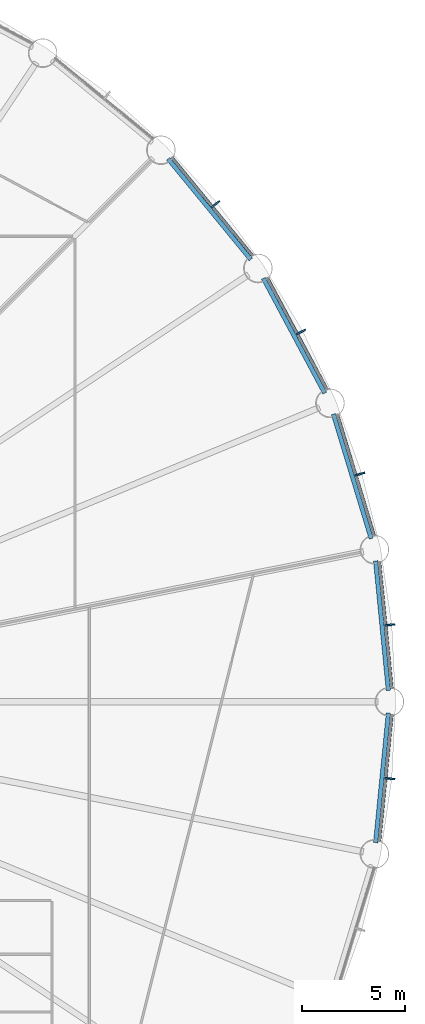
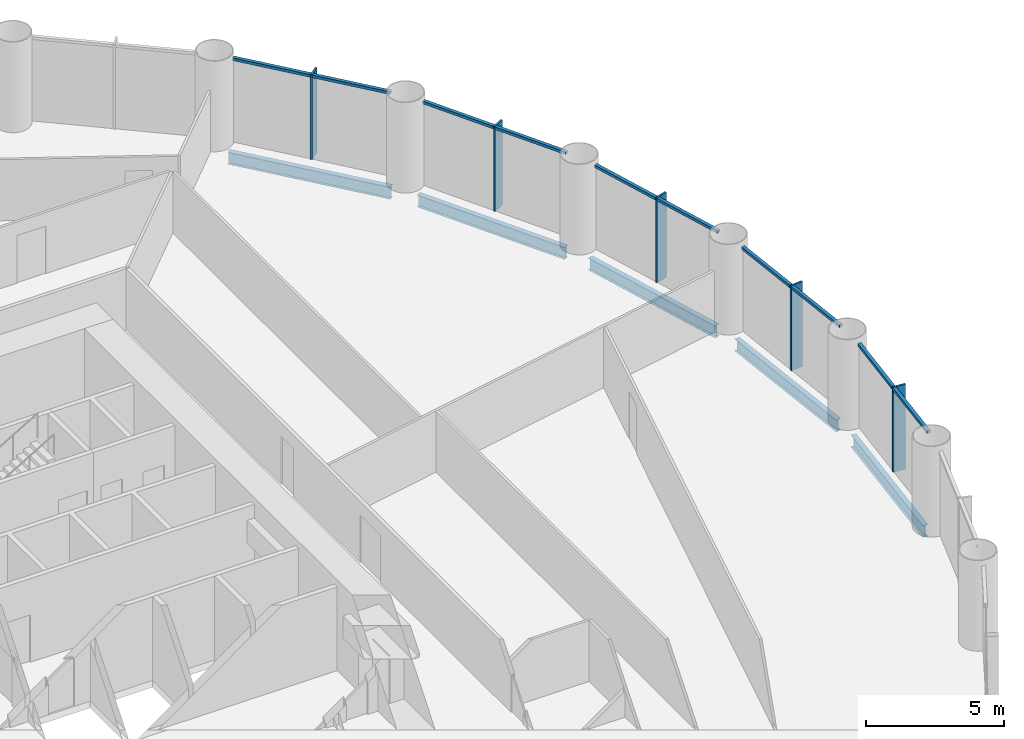
# One storey, part 6 of 15: 15 members, 5 beams, 5 elements without a shape of their own.
"""IFC4 building model written with IfcOpenShell, lengths in metres."""

from ifc_helpers import new_model, si_unit, direction, frame, origin, origin_2d, place, context, subcontext, project, spatial, rectangle, i_section, extrude, material, material_profile, profile_set, type_object, element, aggregate, save


model = new_model("IFC4")

# Units and contexts
model_context = context("Model", 3, precision=1e-05, world=origin(), true_north=direction((0.0, 1.0)))
body_context = subcontext(model_context, "Body", "Model", "MODEL_VIEW")
ifc_project = project(units=[si_unit("LENGTHUNIT", "METRE"), si_unit("AREAUNIT", "SQUARE_METRE"), si_unit("VOLUMEUNIT", "CUBIC_METRE"), si_unit("PLANEANGLEUNIT", "RADIAN"), si_unit("MASSUNIT", "GRAM", prefix="KILO")], contexts=[model_context])

# Site, building, storey
site_placement = place(None, origin())
site = spatial("IfcSite", under=ifc_project, at=site_placement, CompositionType="ELEMENT")
building_placement = place(site_placement, origin())
building = spatial("IfcBuilding", under=site, at=building_placement, Name="Corvane Civic Tower", CompositionType="ELEMENT")
storey_placement = place(building_placement, frame((0.0, 0.0, 69.0)))
storey = spatial("IfcBuildingStorey", under=building, at=storey_placement, Name="L15", CompositionType="ELEMENT", Elevation=69.0)

# Beams
ifc_material_1 = material(Name="Steel ASTM A992 Gr 50", Category="steel")
ifc_material_profile_1 = material_profile(ifc_material_1, i_section(OverallWidth=0.209228515625, OverallDepth=0.533447265625, WebThickness=0.01025390625, FlangeThickness=0.015625, at=origin_2d()), Name="W21X62")
ifc_profile_set_1 = profile_set([ifc_material_profile_1], Name="Steel ASTM A992 Gr 50")
beam_type = type_object("IfcBeamType", Name="EDGE BEAM W21X62", PredefinedType="BEAM", material=ifc_profile_set_1)
beam_placement = place(storey_placement, frame((27.0068359375, 26.23291015625, -0.566650390625), z_axis=(0.634386787141, -0.773015785286, 0.0), x_axis=(0.773015785286, 0.634386787141, 0.0)))
element("IfcBeam", 1, at=beam_placement, inside=storey, type_object=beam_type, Name="BM-L15-E05", PredefinedType="BEAM", context=body_context, shape_type="SweptSolid", body=[
    extrude(i_section(OverallWidth=0.209228515625, OverallDepth=0.533447265625, WebThickness=0.01025390625, FlangeThickness=0.015625, at=origin_2d()), origin(), (0.0, 0.0, 1.0), 6.290771484375),
])
for number, where, z_axis, x_axis, name in (
    (2, (31.605712890625, 20.4599609375, -0.566650390625), (0.471405897311, -0.881916367906, 0.0), (0.881916367906, 0.471405897311, 0.0), "BM-L15-E06"),
    (3, (34.989990234375, 13.90087890625, -0.566650390625), (0.290273452184, -0.956943740748, 0.0), (0.956943740748, 0.290273452184, 0.0), "BM-L15-E07"),
):
    element("IfcBeam", number, at=place(storey_placement, frame(where, z_axis=z_axis, x_axis=x_axis)), inside=storey, type_object=beam_type, Name=name, PredefinedType="BEAM", context=body_context, shape_type="SweptSolid", body=[
        extrude(i_section(OverallWidth=0.209228515625, OverallDepth=0.533447265625, WebThickness=0.01025390625, FlangeThickness=0.015625, at=origin_2d()), origin(), (0.0, 0.0, 1.0), 6.290283203125),
    ])
for number, where, z_axis, x_axis, name in (
    (4, (37.029541015625, 6.8076171875, -0.566650390625), (0.097997284622, -0.995186682089, 0.0), (0.995186682089, 0.097997284622, 0.0), "BM-L15-E08"),
    (5, (37.64599609375, -0.54736328125, -0.566650390625), (-0.097997284622, -0.995186682089, 0.0), (0.995186682089, -0.097997284622, 0.0), "BM-L15-E09"),
):
    element("IfcBeam", number, at=place(storey_placement, frame(where, z_axis=z_axis, x_axis=x_axis)), inside=storey, type_object=beam_type, Name=name, PredefinedType="BEAM", context=body_context, shape_type="SweptSolid", body=[
        extrude(i_section(OverallWidth=0.209228515625, OverallDepth=0.533447265625, WebThickness=0.01025390625, FlangeThickness=0.015625, at=origin_2d()), origin(), (0.0, 0.0, 1.0), 6.29052734375),
    ])

# Curtain wall, members
ifc_material_2 = material(Name="Anodised aluminium bronze", Category="aluminium")
curtain_wall_type = type_object("IfcCurtainWallType", Name="TOWER CW-T1 STICK CURTAIN WALL", PredefinedType="NOTDEFINED", material=ifc_material_2)
curtain_wall_1_placement = place(storey_placement, origin())
curtain_wall_1 = element("IfcCurtainWall", 6, at=curtain_wall_1_placement, inside=storey, type_object=curtain_wall_type, Name="Curtain wall CW-T1 L15 bay 05", PredefinedType="NOTDEFINED")
ifc_material_3 = material(Name="Anodised aluminium bronze", Category="aluminium")
ifc_material_profile_2 = material_profile(ifc_material_3, rectangle(XDim=0.139892578125, YDim=0.1201171875, at=origin_2d()), Name="TOWER CW-T1 TRANSOM 140x120")
ifc_profile_set_2 = profile_set([ifc_material_profile_2], Name="Anodised aluminium bronze")
member_type_1 = type_object("IfcMemberType", Name="TOWER CW-T1 TRANSOM 140x120", PredefinedType="USERDEFINED", material=ifc_profile_set_2)
member_1_placement = place(storey_placement, frame((27.20654296875, 26.271728515625, 3.68994140625), z_axis=(0.634403652865, -0.773001943873, 0.0), x_axis=(0.773001943873, 0.634403652865, 0.0)))
member_1 = element("IfcMember", 7, at=member_1_placement, type_object=member_type_1, Name="Transom CW-T1 L15 05.1", ObjectType="TRANSOM", PredefinedType="USERDEFINED", context=body_context, shape_type="SweptSolid", body=[
    extrude(rectangle(XDim=0.139892578125, YDim=0.1201171875, at=origin_2d()), origin(), (0.0, 0.0, 1.0), 3.008544921875),
])
member_2_placement = place(storey_placement, frame((29.166015625, 23.88427734375, 3.68994140625), z_axis=(0.634355161466, -0.773041738279, 0.0), x_axis=(0.773041738279, 0.634355161466, 0.0)))
member_2 = element("IfcMember", 8, at=member_2_placement, type_object=member_type_1, Name="Transom CW-T1 L15 05.2", ObjectType="TRANSOM", PredefinedType="USERDEFINED", context=body_context, shape_type="SweptSolid", body=[
    extrude(rectangle(XDim=0.139892578125, YDim=0.1201171875, at=origin_2d()), origin(), (0.0, 0.0, 1.0), 3.008544921875),
])

curtain_wall_2_placement = place(storey_placement, origin())
curtain_wall_2 = element("IfcCurtainWall", 9, at=curtain_wall_2_placement, inside=storey, type_object=curtain_wall_type, Name="Curtain wall CW-T1 L15 bay 06", PredefinedType="NOTDEFINED")
member_3_placement = place(storey_placement, frame((31.809326171875, 20.459228515625, 3.68994140625), z_axis=(0.471392506424, -0.881923525532, 0.0), x_axis=(0.881923525532, 0.471392506424, 0.0)))
member_3 = element("IfcMember", 10, at=member_3_placement, type_object=member_type_1, Name="Transom CW-T1 L15 06.1", ObjectType="TRANSOM", PredefinedType="USERDEFINED", context=body_context, shape_type="SweptSolid", body=[
    extrude(rectangle(XDim=0.139892578125, YDim=0.1201171875, at=origin_2d()), origin(), (0.0, 0.0, 1.0), 3.008544921875),
])
member_4_placement = place(storey_placement, frame((33.26513671875, 17.7353515625, 3.68994140625), z_axis=(0.471392506424, -0.881923525532, 0.0), x_axis=(0.881923525532, 0.471392506424, 0.0)))
member_4 = element("IfcMember", 11, at=member_4_placement, type_object=member_type_1, Name="Transom CW-T1 L15 06.2", ObjectType="TRANSOM", PredefinedType="USERDEFINED", context=body_context, shape_type="SweptSolid", body=[
    extrude(rectangle(XDim=0.139892578125, YDim=0.1201171875, at=origin_2d()), origin(), (0.0, 0.0, 1.0), 3.008544921875),
])

curtain_wall_3_placement = place(storey_placement, origin())
curtain_wall_3 = element("IfcCurtainWall", 12, at=curtain_wall_3_placement, inside=storey, type_object=curtain_wall_type, Name="Curtain wall CW-T1 L15 bay 07", PredefinedType="NOTDEFINED")
member_5_placement = place(storey_placement, frame((35.189453125, 13.8603515625, 3.68994140625), z_axis=(0.290279914268, -0.956941780555, 0.0), x_axis=(0.956941780555, 0.290279914268, 0.0)))
member_5 = element("IfcMember", 13, at=member_5_placement, type_object=member_type_1, Name="Transom CW-T1 L15 07.1", ObjectType="TRANSOM", PredefinedType="USERDEFINED", context=body_context, shape_type="SweptSolid", body=[
    extrude(rectangle(XDim=0.139892578125, YDim=0.1201171875, at=origin_2d()), origin(), (0.0, 0.0, 1.0), 3.008544921875),
])
member_6_placement = place(storey_placement, frame((36.0859375, 10.90478515625, 3.68994140625), z_axis=(0.290279914268, -0.956941780555, 0.0), x_axis=(0.956941780555, 0.290279914268, 0.0)))
member_6 = element("IfcMember", 14, at=member_6_placement, type_object=member_type_1, Name="Transom CW-T1 L15 07.2", ObjectType="TRANSOM", PredefinedType="USERDEFINED", context=body_context, shape_type="SweptSolid", body=[
    extrude(rectangle(XDim=0.139892578125, YDim=0.1201171875, at=origin_2d()), origin(), (0.0, 0.0, 1.0), 3.008544921875),
])

curtain_wall_4_placement = place(storey_placement, origin())
curtain_wall_4 = element("IfcCurtainWall", 15, at=curtain_wall_4_placement, inside=storey, type_object=curtain_wall_type, Name="Curtain wall CW-T1 L15 bay 08", PredefinedType="NOTDEFINED")
member_7_placement = place(storey_placement, frame((37.21728515625, 6.72900390625, 3.68994140625), z_axis=(0.097944923917, -0.995191836722, 0.0), x_axis=(0.995191836722, 0.097944923917, 0.0)))
member_7 = element("IfcMember", 16, at=member_7_placement, type_object=member_type_1, Name="Transom CW-T1 L15 08.1", ObjectType="TRANSOM", PredefinedType="USERDEFINED", context=body_context, shape_type="SweptSolid", body=[
    extrude(rectangle(XDim=0.139892578125, YDim=0.1201171875, at=origin_2d()), origin(), (0.0, 0.0, 1.0), 3.008544921875),
])
member_8_placement = place(storey_placement, frame((37.52001953125, 3.6552734375, 3.68994140625), z_axis=(0.097944923917, -0.995191836722, 0.0), x_axis=(0.995191836722, 0.097944923917, 0.0)))
member_8 = element("IfcMember", 17, at=member_8_placement, type_object=member_type_1, Name="Transom CW-T1 L15 08.2", ObjectType="TRANSOM", PredefinedType="USERDEFINED", context=body_context, shape_type="SweptSolid", body=[
    extrude(rectangle(XDim=0.139892578125, YDim=0.1201171875, at=origin_2d()), origin(), (0.0, 0.0, 1.0), 3.008544921875),
])

curtain_wall_5_placement = place(storey_placement, origin())
curtain_wall_5 = element("IfcCurtainWall", 18, at=curtain_wall_5_placement, inside=storey, type_object=curtain_wall_type, Name="Curtain wall CW-T1 L15 bay 09", PredefinedType="NOTDEFINED")
member_9_placement = place(storey_placement, frame((37.814697265625, -0.6611328125, 3.68994140625), z_axis=(-0.097944923917, -0.995191836722, 0.0), x_axis=(0.995191836722, -0.097944923917, 0.0)))
member_9 = element("IfcMember", 19, at=member_9_placement, type_object=member_type_1, Name="Transom CW-T1 L15 09.1", ObjectType="TRANSOM", PredefinedType="USERDEFINED", context=body_context, shape_type="SweptSolid", body=[
    extrude(rectangle(XDim=0.139892578125, YDim=0.1201171875, at=origin_2d()), origin(), (0.0, 0.0, 1.0), 3.008544921875),
])
member_10_placement = place(storey_placement, frame((37.511962890625, -3.73486328125, 3.68994140625), z_axis=(-0.097944923917, -0.995191836722, 0.0), x_axis=(0.995191836722, -0.097944923917, 0.0)))
member_10 = element("IfcMember", 20, at=member_10_placement, type_object=member_type_1, Name="Transom CW-T1 L15 09.2", ObjectType="TRANSOM", PredefinedType="USERDEFINED", context=body_context, shape_type="SweptSolid", body=[
    extrude(rectangle(XDim=0.139892578125, YDim=0.1201171875, at=origin_2d()), origin(), (0.0, 0.0, 1.0), 3.008544921875),
])

# Member
ifc_material_4 = material(Name="Anodised aluminium bronze", Category="aluminium")
ifc_material_profile_3 = material_profile(ifc_material_4, rectangle(XDim=0.080078125, YDim=0.5, at=origin_2d()), Name="TOWER FIN MULLION 80x500 BRONZE")
ifc_profile_set_3 = profile_set([ifc_material_profile_3], Name="Anodised aluminium bronze")
member_type_2 = type_object("IfcMemberType", Name="TOWER FIN MULLION 80x500 BRONZE", PredefinedType="MULLION", material=ifc_profile_set_3)
member_11_placement = place(storey_placement, frame((29.295166015625, 24.0419921875, 0.0), z_axis=(0.0, 0.0, 1.0), x_axis=(0.634397218569, -0.773007224463, 0.0)))
member_11 = element("IfcMember", 21, at=member_11_placement, type_object=member_type_2, Name="Fin mullion 05 L15", PredefinedType="MULLION", context=body_context, shape_type="SweptSolid", body=[
    extrude(rectangle(XDim=0.080078125, YDim=0.5, at=origin_2d()), origin(), (0.0, 0.0, 1.0), 3.75),
])

aggregate(curtain_wall_1, [member_11, member_1, member_2])

member_12_placement = place(storey_placement, frame((33.422607421875, 17.86474609375, 0.0), z_axis=(0.0, 0.0, 1.0), x_axis=(0.471403725359, -0.881917528864, 0.0)))
member_12 = element("IfcMember", 22, at=member_12_placement, type_object=member_type_2, Name="Fin mullion 06 L15", PredefinedType="MULLION", context=body_context, shape_type="SweptSolid", body=[
    extrude(rectangle(XDim=0.080078125, YDim=0.5, at=origin_2d()), origin(), (0.0, 0.0, 1.0), 3.75),
])

aggregate(curtain_wall_2, [member_12, member_3, member_4])

member_13_placement = place(storey_placement, frame((36.265625, 11.001220703125, 0.0), z_axis=(0.0, 0.0, 1.0), x_axis=(0.290278397654, -0.956942240606, 0.0)))
member_13 = element("IfcMember", 23, at=member_13_placement, type_object=member_type_2, Name="Fin mullion 07 L15", PredefinedType="MULLION", context=body_context, shape_type="SweptSolid", body=[
    extrude(rectangle(XDim=0.080078125, YDim=0.5, at=origin_2d()), origin(), (0.0, 0.0, 1.0), 3.75),
])

aggregate(curtain_wall_3, [member_13, member_5, member_6])

member_14_placement = place(storey_placement, frame((37.715087890625, 3.714599609375, 0.0), z_axis=(0.0, 0.0, 1.0), x_axis=(0.098006239521, -0.995185800248, 0.0)))
member_14 = element("IfcMember", 24, at=member_14_placement, type_object=member_type_2, Name="Fin mullion 08 L15", PredefinedType="MULLION", context=body_context, shape_type="SweptSolid", body=[
    extrude(rectangle(XDim=0.080078125, YDim=0.5, at=origin_2d()), origin(), (0.0, 0.0, 1.0), 3.75),
])

aggregate(curtain_wall_4, [member_14, member_7, member_8])

member_15_placement = place(storey_placement, frame((37.715087890625, -3.714599609375, 0.0), z_axis=(0.0, 0.0, 1.0), x_axis=(-0.098006239521, -0.995185800248, 0.0)))
member_15 = element("IfcMember", 25, at=member_15_placement, type_object=member_type_2, Name="Fin mullion 09 L15", PredefinedType="MULLION", context=body_context, shape_type="SweptSolid", body=[
    extrude(rectangle(XDim=0.080078125, YDim=0.5, at=origin_2d()), origin(), (0.0, 0.0, 1.0), 3.75),
])

aggregate(curtain_wall_5, [member_15, member_9, member_10])

save(model, "model.ifc")
